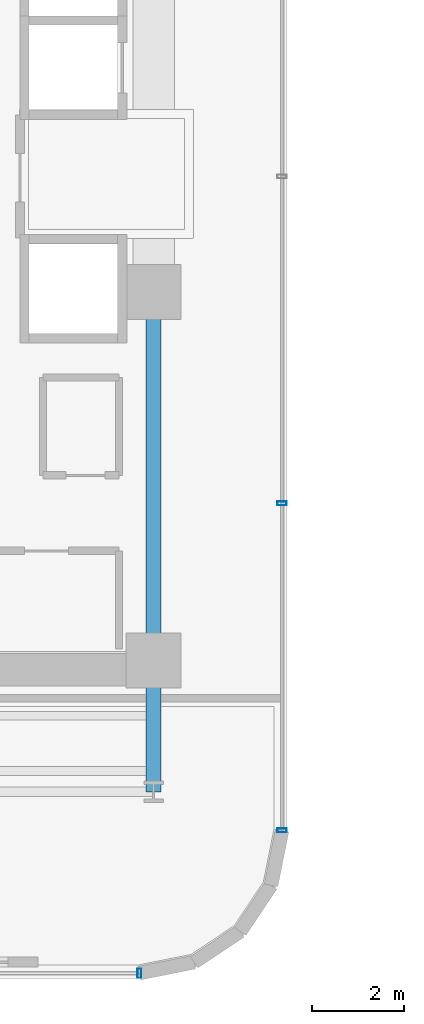
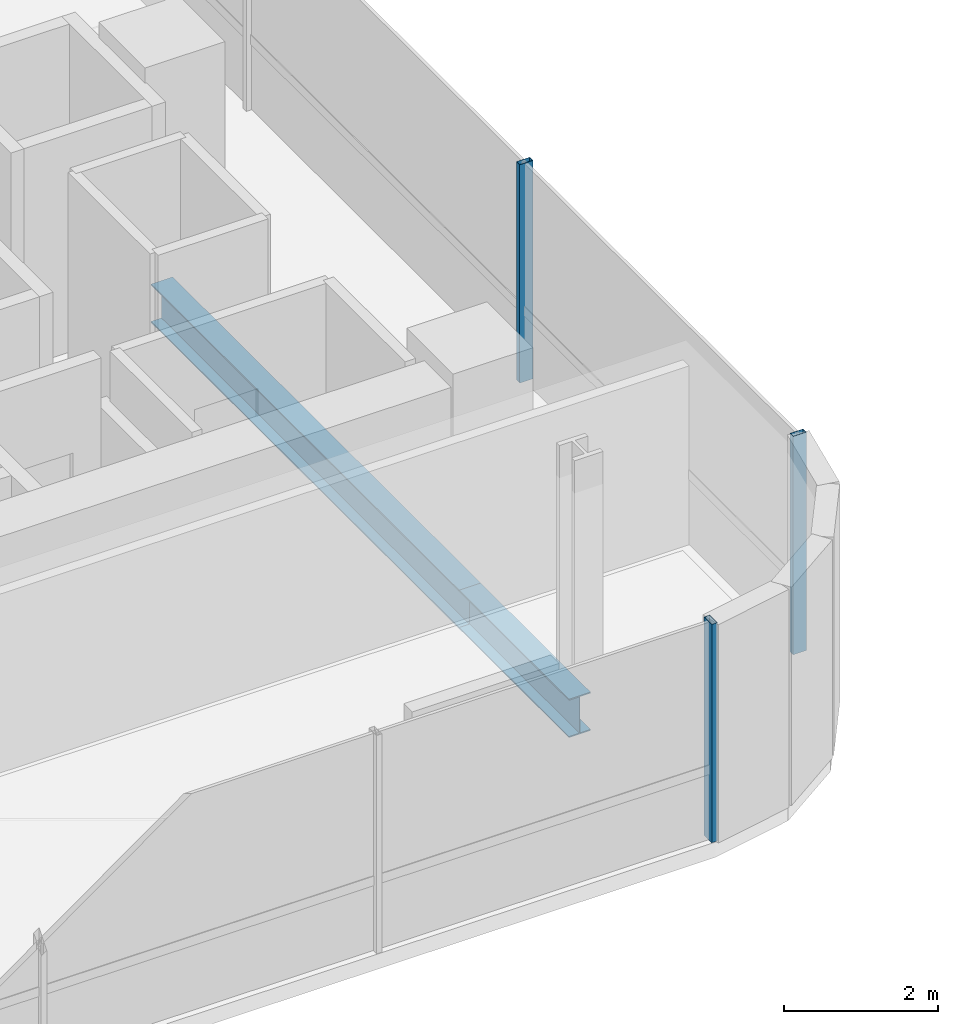
# One storey, part 5 of 37: 3 members, 2 beams, 2 elements without a shape of their own.
"""IFC4 building model written with IfcOpenShell, lengths in metres."""

from ifc_helpers import new_model, si_unit, direction, frame, origin, origin_2d, place, context, subcontext, project, spatial, hollow_rectangle, i_section, extrude, source, transform, mapped, material, material_profile, profile_set, type_object, element, aggregate, save


model = new_model("IFC4")

# Units and contexts
model_context = context("Model", 3, precision=1e-05, world=origin(), true_north=direction((0.0, 1.0)))
body_context = subcontext(model_context, "Body", "Model", "MODEL_VIEW")
ifc_project = project(units=[si_unit("LENGTHUNIT", "METRE"), si_unit("AREAUNIT", "SQUARE_METRE"), si_unit("VOLUMEUNIT", "CUBIC_METRE"), si_unit("PLANEANGLEUNIT", "RADIAN"), si_unit("MASSUNIT", "GRAM", prefix="KILO")], contexts=[model_context])

# Site, building, storey
site_placement = place(None, origin())
site = spatial("IfcSite", under=ifc_project, at=site_placement, CompositionType="ELEMENT")
building_placement = place(site_placement, origin())
building = spatial("IfcBuilding", under=site, at=building_placement, Name="Valdorenza Pilgrim Sanctuary Tower", CompositionType="ELEMENT")
storey_placement = place(building_placement, frame((0.0, 0.0, 135.300048828125)))
storey = spatial("IfcBuildingStorey", under=building, at=storey_placement, Name="L34", CompositionType="ELEMENT", Elevation=135.300048828125)

# Beams
ifc_material_1 = material(Name="Steel ASTM A992 Grade 50", Category="steel")
ifc_material_profile_1 = material_profile(ifc_material_1, i_section(OverallWidth=0.323974609375, OverallDepth=0.611083984375, WebThickness=0.0126953125, FlangeThickness=0.01904296875, at=origin_2d()), Name="W24X104")
ifc_profile_set_1 = profile_set([ifc_material_profile_1], Name="Steel ASTM A992 Grade 50")
beam_type = type_object("IfcBeamType", Name="STR-BM-GRD-W24B", PredefinedType="BEAM", material=ifc_profile_set_1)
shared_shape_1 = source(origin(), body_context, "Body", "SweptSolid", [
    extrude(i_section(OverallWidth=0.323974609375, OverallDepth=0.611083984375, WebThickness=0.0126953125, FlangeThickness=0.01904296875, at=origin_2d()), origin(), (0.0, 0.0, 1.0), 8.0),
])
beam_1_placement = place(storey_placement, frame((-12.39990234375, -10.60009765625, -0.545654296875), z_axis=(0.0, 1.0, 0.0), x_axis=(-1.0, 0.0, 0.0)))
element("IfcBeam", 1, at=beam_1_placement, inside=storey, type_object=beam_type, Name="L34 Core Tie Girder CA-E-S1M0", PredefinedType="BEAM", context=body_context, shape_type="MappedRepresentation", body=[
    mapped(shared_shape_1, transform((0.0, 0.0, 0.0), x_axis=(1.0, 0.0, 0.0), y_axis=(0.0, 1.0, 0.0), z_axis=(0.0, 0.0, 1.0), scale=1.0)),
])
shared_shape_2 = source(origin(), body_context, "Body", "SweptSolid", [
    extrude(i_section(OverallWidth=0.323974609375, OverallDepth=0.611083984375, WebThickness=0.0126953125, FlangeThickness=0.01904296875, at=origin_2d()), origin(), (0.0, 0.0, 1.0), 2.849853515625),
])
beam_2_placement = place(storey_placement, frame((-12.39990234375, -13.449951171875, -0.545654296875), z_axis=(0.0, 1.0, 0.0), x_axis=(-1.0, 0.0, 0.0)))
element("IfcBeam", 2, at=beam_2_placement, inside=storey, type_object=beam_type, Name="L34 Floor Girder WA-S-LE", PredefinedType="BEAM", context=body_context, shape_type="MappedRepresentation", body=[
    mapped(shared_shape_2, transform((0.0, 0.0, 0.0), x_axis=(1.0, 0.0, 0.0), y_axis=(0.0, 1.0, 0.0), z_axis=(0.0, 0.0, 1.0), scale=1.0)),
])

# Curtain wall, members
ifc_material_2 = material(Name="Curtain-wall IGU glazing", Category="glass")
curtain_wall_type = type_object("IfcCurtainWallType", Name="CW-SYS-02", PredefinedType="NOTDEFINED", material=ifc_material_2)
curtain_wall_1_placement = place(storey_placement, origin())
curtain_wall_1 = element("IfcCurtainWall", 3, at=curtain_wall_1_placement, inside=storey, type_object=curtain_wall_type, Name="L34 Curtain Wall CW-L34-1-41", PredefinedType="NOTDEFINED")
ifc_material_3 = material(Name="Anodised aluminium AW-6060", Category="aluminium")
ifc_material_profile_2 = material_profile(ifc_material_3, hollow_rectangle(XDim=0.0849609375, YDim=0.199951171875, WallThickness=0.0048828125, at=origin_2d()), Name="ALU-M 200x85x5")
ifc_profile_set_2 = profile_set([ifc_material_profile_2], Name="Anodised aluminium AW-6060")
member_type = type_object("IfcMemberType", Name="CW-MUL-02", PredefinedType="MULLION", material=ifc_profile_set_2)
shared_shape_3 = source(origin(), body_context, "Body", "SweptSolid", [
    extrude(hollow_rectangle(XDim=0.0849609375, YDim=0.199951171875, WallThickness=0.0048828125, at=origin_2d()), origin(), (0.0, 0.0, 1.0), 3.4599609375),
])
member_1_placement = place(storey_placement, frame((-9.610107421875, -7.189208984375, 0.0), z_axis=(0.0, 0.0, 1.0), x_axis=(0.0, -1.0, 0.0)))
member_1 = element("IfcMember", 4, at=member_1_placement, type_object=member_type, Name="CW-L34-1-41 Mullion 3", PredefinedType="MULLION", context=body_context, shape_type="MappedRepresentation", body=[
    mapped(shared_shape_3, transform((0.0, 0.0, 0.0), x_axis=(1.0, 0.0, 0.0), y_axis=(0.0, 1.0, 0.0), z_axis=(0.0, 0.0, 1.0), scale=1.0)),
])
member_2_placement = place(storey_placement, frame((-9.610107421875, -14.289306640625, 0.0), z_axis=(0.0, 0.0, 1.0), x_axis=(0.0, -1.0, 0.0)))
member_2 = element("IfcMember", 5, at=member_2_placement, type_object=member_type, Name="CW-L34-1-41 Mullion 4", PredefinedType="MULLION", context=body_context, shape_type="MappedRepresentation", body=[
    mapped(shared_shape_3, transform((0.0, 0.0, 0.0), x_axis=(1.0, 0.0, 0.0), y_axis=(0.0, 1.0, 0.0), z_axis=(0.0, 0.0, 1.0), scale=1.0)),
])
aggregate(curtain_wall_1, [member_1, member_2])

# Curtain wall, member
curtain_wall_2_placement = place(storey_placement, origin())
curtain_wall_2 = element("IfcCurtainWall", 6, at=curtain_wall_2_placement, inside=storey, type_object=curtain_wall_type, Name="L34 Curtain Wall CW-L34-1-46", PredefinedType="NOTDEFINED")
member_3_placement = place(storey_placement, frame((-12.710693359375, -17.389892578125, 0.0), z_axis=(0.0, 0.0, 1.0), x_axis=(-1.0, 0.0, 0.0)))
member_3 = element("IfcMember", 7, at=member_3_placement, type_object=member_type, Name="CW-L34-1-46 Mullion 1", PredefinedType="MULLION", context=body_context, shape_type="MappedRepresentation", body=[
    mapped(shared_shape_3, transform((0.0, 0.0, 0.0), x_axis=(1.0, 0.0, 0.0), y_axis=(0.0, 1.0, 0.0), z_axis=(0.0, 0.0, 1.0), scale=1.0)),
])
aggregate(curtain_wall_2, [member_3])

save(model, "model.ifc")
